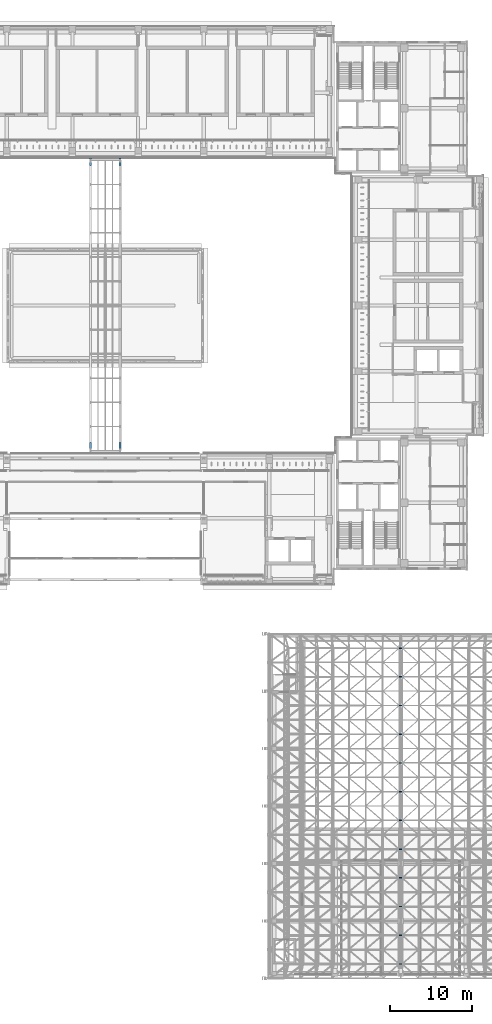
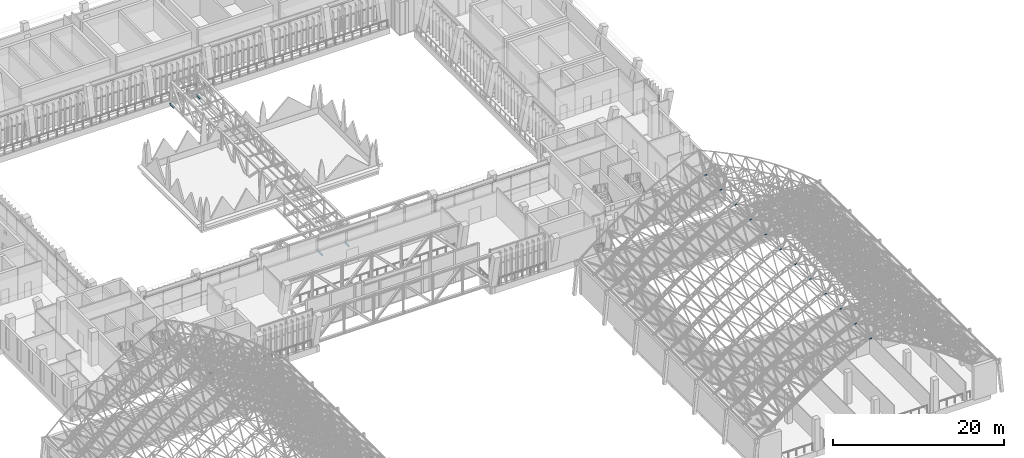
# One storey, part 89 of 141: 12 members, 4 beams.
"""IFC4 building model written with IfcOpenShell, lengths in metres."""

from ifc_helpers import new_model, si_unit, direction, frame, origin, origin_2d, place, context, subcontext, project, spatial, hollow_circle, i_section, extrude, material, material_profile, profile_set, type_object, element, save


model = new_model("IFC4")

# Units and contexts
model_context = context("Model", 3, precision=1e-05, world=origin(), true_north=direction((0.0, 1.0)))
body_context = subcontext(model_context, "Body", "Model", "MODEL_VIEW")
ifc_project = project(units=[si_unit("LENGTHUNIT", "METRE"), si_unit("AREAUNIT", "SQUARE_METRE"), si_unit("VOLUMEUNIT", "CUBIC_METRE"), si_unit("PLANEANGLEUNIT", "RADIAN"), si_unit("MASSUNIT", "GRAM", prefix="KILO")], contexts=[model_context])

# Site, building, storey
site_placement = place(None, origin())
site = spatial("IfcSite", under=ifc_project, at=site_placement, CompositionType="ELEMENT")
building_placement = place(site_placement, origin())
building = spatial("IfcBuilding", under=site, at=building_placement, Name="Lantern Court Media Centre", CompositionType="ELEMENT")
storey_placement = place(building_placement, frame((0.0, 0.0, 9.60009765625)))
storey = spatial("IfcBuildingStorey", under=building, at=storey_placement, Name="L02", CompositionType="ELEMENT", Elevation=9.60009765625)

# Beams
ifc_material = material(Name="Steel S355J2 (EN 10025-2)", Category="steel")
ifc_material_profile_1 = material_profile(ifc_material, i_section(OverallWidth=0.199951171875, OverallDepth=0.199951171875, WebThickness=0.009033203125, FlangeThickness=0.014892578125, FilletRadius=0.01806640625, at=origin_2d()), Name="HEB 200")
ifc_profile_set_1 = profile_set([ifc_material_profile_1], Name="Steel S355J2 (EN 10025-2)")
beam_type = type_object("IfcBeamType", Name="Court bridge seat bracket HEB 200", PredefinedType="BEAM", material=ifc_profile_set_1)
for number, where, z_axis, x_axis, name in (
    (1, (50.199951171875, 62.35009765625, -0.510009765625), (0.0, 1.0, 0.0), (-1.0, 0.0, 0.0), "Court bridge seat bracket south 1"),
    (2, (53.800048828125, 62.35009765625, -0.510009765625), (0.0, 1.0, 0.0), (-1.0, 0.0, 0.0), "Court bridge seat bracket south 2"),
    (3, (50.199951171875, 98.0, -0.510009765625), (0.0, -1.0, 0.0), (1.0, 0.0, 0.0), "Court bridge seat bracket north 1"),
    (4, (53.800048828125, 98.0, -0.510009765625), (0.0, -1.0, 0.0), (1.0, 0.0, 0.0), "Court bridge seat bracket north 2"),
):
    element("IfcBeam", number, at=place(storey_placement, frame(where, z_axis=z_axis, x_axis=x_axis)), inside=storey, type_object=beam_type, Name=name, PredefinedType="BEAM", context=body_context, shape_type="SweptSolid", body=[
        extrude(i_section(OverallWidth=0.199951171875, OverallDepth=0.199951171875, WebThickness=0.009033203125, FlangeThickness=0.014892578125, FilletRadius=0.01806640625, at=origin_2d()), origin(), (0.0, 0.0, 1.0), 0.949951171875),
    ])

# Members
ifc_material_profile_2 = material_profile(ifc_material, hollow_circle(Radius=0.084228515625, WallThickness=0.00634765625, at=origin_2d()), Name="Studio Hall bottom CHS 168.3x6.3")
ifc_profile_set_2 = profile_set([ifc_material_profile_2], Name="Steel S355J2 (EN 10025-2)")
member_type = type_object("IfcMemberType", Name="Studio Hall bottom CHS 168.3x6.3", PredefinedType="CHORD", material=ifc_profile_set_2)
for number, where, z_axis, x_axis, name in (
    (5, (87.812255859375, -0.25, 12.31884765625), (1.0, 0.0, 0.0), (0.0, 1.0, 0.0), "Studio Hall bottom chord 08-01 across"),
    (6, (87.812255859375, 3.25, 12.31884765625), (1.0, 0.0, 0.0), (0.0, 1.0, 0.0), "Studio Hall bottom chord 08-02 across"),
    (7, (87.812255859375, 6.75, 12.31884765625), (1.0, 0.0, 0.0), (0.0, 1.0, 0.0), "Studio Hall bottom chord 08-03 across"),
    (8, (87.812255859375, 10.25, 12.31884765625), (1.0, 0.0, 0.0), (0.0, 1.0, 0.0), "Studio Hall bottom chord 08-04 across"),
    (9, (87.812255859375, 13.75, 12.31884765625), (1.0, 0.0, 0.0), (0.0, 1.0, 0.0), "Studio Hall bottom chord 08-05 across"),
    (10, (87.812255859375, 17.25, 12.31884765625), (1.0, 0.0, 0.0), (0.0, 1.0, 0.0), "Studio Hall bottom chord 08-06 across"),
    (11, (87.812255859375, 20.75, 12.31884765625), (1.0, 0.0, 0.0), (0.0, 1.0, 0.0), "Studio Hall bottom chord 08-07 across"),
    (12, (87.812255859375, 24.25, 12.31884765625), (1.0, 0.0, 0.0), (0.0, 1.0, 0.0), "Studio Hall bottom chord 08-08 across"),
    (13, (87.812255859375, 27.75, 12.31884765625), (1.0, 0.0, 0.0), (0.0, 1.0, 0.0), "Studio Hall bottom chord 08-09 across"),
    (14, (87.812255859375, 31.25, 12.31884765625), (1.0, 0.0, 0.0), (0.0, 1.0, 0.0), "Studio Hall bottom chord 08-10 across"),
    (15, (87.812255859375, 34.75, 12.31884765625), (1.0, 0.0, 0.0), (0.0, 1.0, 0.0), "Studio Hall bottom chord 08-11 across"),
    (16, (87.812255859375, 38.25, 12.31884765625), (1.0, 0.0, 0.0), (0.0, 1.0, 0.0), "Studio Hall bottom chord 08-12 across"),
):
    element("IfcMember", number, at=place(storey_placement, frame(where, z_axis=z_axis, x_axis=x_axis)), inside=storey, type_object=member_type, Name=name, PredefinedType="CHORD", context=body_context, shape_type="SweptSolid", body=[
        extrude(hollow_circle(Radius=0.084228515625, WallThickness=0.00634765625, at=origin_2d()), origin(), (0.0, 0.0, 1.0), 0.37548828125),
    ])

save(model, "model.ifc")
